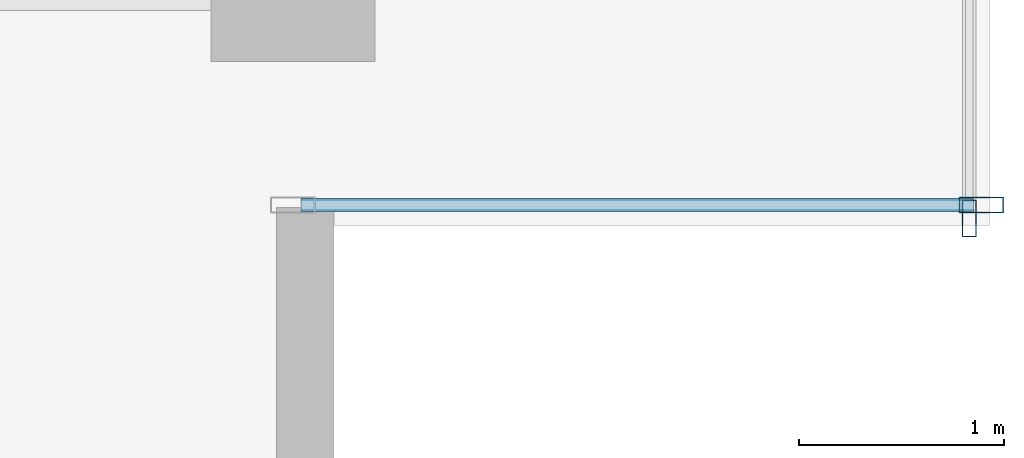
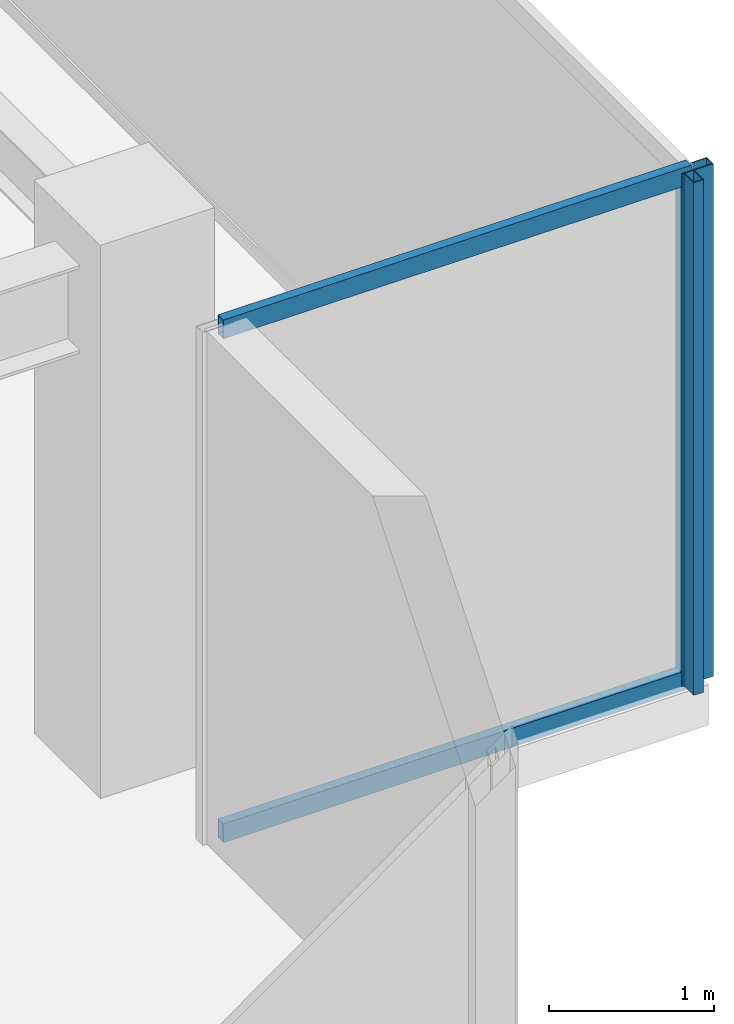
# One storey, part 22 of 33: 4 members, 2 elements without a shape of their own.
"""IFC4 building model written with IfcOpenShell, lengths in metres."""

import ifcopenshell
import ifcopenshell.guid

model = None  # the IFC model being written
_history = None  # IfcOwnerHistory: only IFC2X3 demands one
_inside = {}  # id of a spatial element -> (the spatial element, [elements in it])
_under = {}  # id of a project, library or spatial element -> (it, [spatial elements below it])
_declared = {}  # id of a project -> (the project, [libraries it declares])
_typed = {}  # id of a type object -> (the type object, [elements of that type])
_made_of = {}  # id of a material, layer set ... -> (it, [elements and type objects made of it])


def new_model(schema):
    """Start an empty IFC model of exactly this schema.

    Asked for "IFC4X3", IfcOpenShell would pick the latest addendum, in which some entities
    have other attributes; the version numbers below select the first issue.
    IFC2X3 requires an IfcOwnerHistory on every rooted entity: one is made here for all.
    """
    global model, _history
    if schema == "IFC4X3":
        model = ifcopenshell.file(schema_version=(4, 3, 0, 0))
    else:
        model = ifcopenshell.file(schema=schema)
    _inside.clear()
    _under.clear()
    _declared.clear()
    _typed.clear()
    _made_of.clear()
    _history = None
    if model.schema == "IFC2X3":
        org = make("IfcOrganization", Name="unknown")
        user = make(
            "IfcPersonAndOrganization",
            ThePerson=make("IfcPerson", FamilyName="unknown"),
            TheOrganization=org,
        )
        app = make(
            "IfcApplication",
            ApplicationDeveloper=org,
            Version="unknown",
            ApplicationFullName="unknown",
            ApplicationIdentifier="unknown",
        )
        _history = make(
            "IfcOwnerHistory",
            OwningUser=user,
            OwningApplication=app,
            ChangeAction="ADDED",
            CreationDate=0,
        )
    return model


def make(cls, **values):
    """One entity of the class cls with the attributes given. An attribute that is None is left unset."""
    return model.create_entity(
        cls, **{name: value for name, value in values.items() if value is not None}
    )


def rooted(cls, **values):
    """An entity with a GlobalId (a new one), such as an element, a storey or a relation."""
    return make(cls, GlobalId=ifcopenshell.guid.new(), OwnerHistory=_history, **values)


def si_unit(unit_type, name, prefix=None):
    """IfcSIUnit, for example si_unit("LENGTHUNIT", "METRE", prefix="MILLI")."""
    return make("IfcSIUnit", UnitType=unit_type, Prefix=prefix, Name=name)


def assignment(units):
    """IfcUnitAssignment: the units of a project."""
    return None if units is None else make("IfcUnitAssignment", Units=units)


def point(xyz):
    """IfcCartesianPoint."""
    return None if xyz is None else make("IfcCartesianPoint", Coordinates=xyz)


def direction(xyz):
    """IfcDirection."""
    return None if xyz is None else make("IfcDirection", DirectionRatios=xyz)


def frame(location, z_axis=None, x_axis=None):
    """IfcAxis2Placement3D, a coordinate frame: its origin and axes. An axis left out is left unset."""
    return make(
        "IfcAxis2Placement3D",
        Location=point(location),
        Axis=direction(z_axis),
        RefDirection=direction(x_axis),
    )


def frame_2d(location, x_axis=None):
    """IfcAxis2Placement2D, a coordinate frame in the plane: its origin and x axis."""
    return make(
        "IfcAxis2Placement2D", Location=point(location), RefDirection=direction(x_axis)
    )


def origin():
    """The frame at (0, 0, 0) with its axes left unset."""
    return frame((0.0, 0.0, 0.0))


def origin_2d():
    """The frame at (0, 0) in the plane with its x axis left unset."""
    return frame_2d((0.0, 0.0))


def place(relative_to, where):
    """IfcLocalPlacement: puts the frame where relative to a parent placement (None: the world)."""
    return make(
        "IfcLocalPlacement", PlacementRelTo=relative_to, RelativePlacement=where
    )


def context(
    kind, dimensions, precision=None, world=None, true_north=None, identifier=None
):
    """IfcGeometricRepresentationContext, for example the 3D "Model" context."""
    return make(
        "IfcGeometricRepresentationContext",
        ContextIdentifier=identifier,
        ContextType=kind,
        CoordinateSpaceDimension=dimensions,
        Precision=precision,
        WorldCoordinateSystem=world,
        TrueNorth=true_north,
    )


def subcontext(parent, identifier, kind, view, scale=None):
    """IfcGeometricRepresentationSubContext, for example "Body" below "Model"."""
    return make(
        "IfcGeometricRepresentationSubContext",
        ContextIdentifier=identifier,
        ContextType=kind,
        ParentContext=parent,
        TargetScale=scale,
        TargetView=view,
    )


def project(units=None, contexts=None):
    """IfcProject with its units and contexts."""
    return rooted(
        "IfcProject",
        Name="project",
        RepresentationContexts=contexts,
        UnitsInContext=assignment(units),
    )


def spatial(cls, under=None, at=None, **own):
    """A site, building, storey or space (cls), placed at a placement, below another one or the project."""
    s = rooted(cls, ObjectPlacement=at, **own)
    if under is not None:
        _under.setdefault(under.id(), (under, []))[1].append(s)
    return s


def profile(cls, at=None, kind="AREA", **sizes):
    """A parametric profile (cls). Its sizes go by their IFC names, for example OverallWidth=200.0."""
    return make(cls, ProfileType=kind, Position=at, **sizes)


def hollow_rectangle(**sizes):
    """IfcRectangleHollowProfileDef."""
    return profile("IfcRectangleHollowProfileDef", **sizes)


def extrude(swept, where, along, depth):
    """IfcExtrudedAreaSolid: the profile swept, set in the frame where, extruded along a direction by depth."""
    return make(
        "IfcExtrudedAreaSolid",
        SweptArea=swept,
        Position=where,
        ExtrudedDirection=direction(along),
        Depth=depth,
    )


def shape(context_of_items, identifier, shape_type, items):
    """IfcShapeRepresentation: the items that make up one representation, for example the "Body"."""
    return make(
        "IfcShapeRepresentation",
        ContextOfItems=context_of_items,
        RepresentationIdentifier=identifier,
        RepresentationType=shape_type,
        Items=items,
    )


def source(mapping_origin, context_of_items, identifier, shape_type, items):
    """IfcRepresentationMap: a shape defined once, which mapped items show again and again."""
    return make(
        "IfcRepresentationMap",
        MappingOrigin=mapping_origin,
        MappedRepresentation=shape(context_of_items, identifier, shape_type, items),
    )


def transform(
    local_origin,
    x_axis=None,
    y_axis=None,
    z_axis=None,
    scale=None,
    scale2=None,
    scale3=None,
    uniform=True,
):
    """IfcCartesianTransformationOperator3D, or its non-uniform kind. x_axis, y_axis, z_axis: its Axis1, 2, 3."""
    if uniform:
        return make(
            "IfcCartesianTransformationOperator3D",
            Axis1=direction(x_axis),
            Axis2=direction(y_axis),
            LocalOrigin=point(local_origin),
            Scale=scale,
            Axis3=direction(z_axis),
        )
    return make(
        "IfcCartesianTransformationOperator3DnonUniform",
        Axis1=direction(x_axis),
        Axis2=direction(y_axis),
        LocalOrigin=point(local_origin),
        Scale=scale,
        Axis3=direction(z_axis),
        Scale2=scale2,
        Scale3=scale3,
    )


def mapped(mapping_source, mapping_target):
    """IfcMappedItem: shows the shape of a source again, moved by a transform."""
    return make(
        "IfcMappedItem", MappingSource=mapping_source, MappingTarget=mapping_target
    )


def material(Name=None, Category=None):
    """IfcMaterial."""
    return make("IfcMaterial", Name=Name, Category=Category)


def layer(
    of_material, thickness, ventilated=None, Name=None, Category=None, Priority=None
):
    """IfcMaterialLayer: one layer of a wall or slab, of a material (None: an air gap)."""
    return make(
        "IfcMaterialLayer",
        Material=of_material,
        LayerThickness=thickness,
        IsVentilated=ventilated,
        Name=Name,
        Category=Category,
        Priority=Priority,
    )


def layer_set(layers, Name=None):
    """IfcMaterialLayerSet."""
    return make("IfcMaterialLayerSet", MaterialLayers=layers, LayerSetName=Name)


def material_profile(
    of_material, cross_section, Name=None, Category=None, Priority=None
):
    """IfcMaterialProfile: a cross section and its material."""
    return make(
        "IfcMaterialProfile",
        Name=Name,
        Material=of_material,
        Profile=cross_section,
        Priority=Priority,
        Category=Category,
    )


def profile_set(profiles, Name=None, composite=None):
    """IfcMaterialProfileSet."""
    return make(
        "IfcMaterialProfileSet",
        Name=Name,
        MaterialProfiles=profiles,
        CompositeProfile=composite,
    )


def made_of(thing, what):
    """Note that an element or type object is made of a material, layer set ...; save() writes the relation."""
    if what is not None:
        _made_of.setdefault(what.id(), (what, []))[1].append(thing)
    return thing


def type_object(cls, material=None, **own):
    """A type object (cls), such as IfcWallType, which elements share."""
    return made_of(rooted(cls, **own), material)


def type_shapes(of_type, sources):
    """Give a type object the sources (RepresentationMaps) that its elements show as mapped items."""
    of_type.RepresentationMaps = sources


def element(
    cls,
    number,
    at=None,
    inside=None,
    cuts=None,
    type_object=None,
    material=None,
    context=None,
    identifier="Body",
    shape_type=None,
    held_by="IfcProductDefinitionShape",
    body=None,
    shapes=None,
    **own,
):
    """One element of the class cls, such as IfcWall. Its Tag is "e" and its number.

    at: its placement. inside: the storey or other place that contains it. cuts: it is an
    opening in that element (IfcRelVoidsElement). A single representation is given by context,
    identifier, shape_type and body (its items); several are given by shapes. held_by: the class
    of the entity that holds the representations. save() writes the other relations.
    """
    e = rooted(cls, Tag="e%d" % number, ObjectPlacement=at, **own)
    if body is not None:
        shapes = [shape(context, identifier, shape_type, body)]
    if shapes is not None:
        e.Representation = make(held_by, Representations=shapes)
    if inside is not None:
        _inside.setdefault(inside.id(), (inside, []))[1].append(e)
    if cuts is not None:
        rooted(
            "IfcRelVoidsElement", RelatingBuildingElement=cuts, RelatedOpeningElement=e
        )
    if type_object is not None:
        _typed.setdefault(type_object.id(), (type_object, []))[1].append(e)
    return made_of(e, material)


def aggregate(whole, parts):
    """IfcRelAggregates: a whole, such as a stair, and the parts it consists of."""
    return rooted("IfcRelAggregates", RelatingObject=whole, RelatedObjects=parts)


def save(model, path):
    """Write the relations noted so far, then the file.

    IfcRelAggregates (storeys below a building ...), IfcRelContainedInSpatialStructure (elements
    in a storey), IfcRelDefinesByType, IfcRelAssociatesMaterial and IfcRelDeclares: one each for
    every whole, place, type object, material and project.
    """
    for whole, parts in _under.values():
        aggregate(whole, parts)
    for where, things in _inside.values():
        rooted(
            "IfcRelContainedInSpatialStructure",
            RelatedElements=things,
            RelatingStructure=where,
        )
    for kind, things in _typed.values():
        rooted("IfcRelDefinesByType", RelatedObjects=things, RelatingType=kind)
    for what, things in _made_of.values():
        rooted("IfcRelAssociatesMaterial", RelatedObjects=things, RelatingMaterial=what)
    for by, libraries in _declared.values():
        rooted("IfcRelDeclares", RelatingContext=by, RelatedDefinitions=libraries)
    model.write(path)


model = new_model("IFC4")

# Units and contexts
model_context = context("Model", 3, precision=1e-05, world=origin(), true_north=direction((0.0, 1.0)))
body_context = subcontext(model_context, "Body", "Model", "MODEL_VIEW")
ifc_project = project(units=[si_unit("LENGTHUNIT", "METRE"), si_unit("AREAUNIT", "SQUARE_METRE"), si_unit("VOLUMEUNIT", "CUBIC_METRE"), si_unit("PLANEANGLEUNIT", "RADIAN"), si_unit("MASSUNIT", "GRAM", prefix="KILO")], contexts=[model_context])

# Site, building, storey
site_placement = place(None, origin())
site = spatial("IfcSite", under=ifc_project, at=site_placement, CompositionType="ELEMENT")
building_placement = place(site_placement, origin())
building = spatial("IfcBuilding", under=site, at=building_placement, Name="Haelvirn Gate Laboratories", CompositionType="ELEMENT")
storey_placement = place(building_placement, frame((0.0, 0.0, 267.0)))
storey = spatial("IfcBuildingStorey", under=building, at=storey_placement, Name="L64", CompositionType="ELEMENT", Elevation=267.0)

# Curtain wall, members
ifc_material_1 = material(Name="Anodised bronze unitised aluminium & triple low-E glass", Category="aluminium")
ifc_layer_1 = layer(ifc_material_1, 0.181884765625, Name="CW-SYS-5")
ifc_layer_set_1 = layer_set([ifc_layer_1], Name="Anodised bronze unitised aluminium & triple low-E glass")
curtain_wall_type_1 = type_object("IfcCurtainWallType", Name="CW-SYS-5", PredefinedType="NOTDEFINED", material=ifc_layer_set_1)
curtain_wall_1_placement = place(storey_placement, origin())
curtain_wall_1 = element("IfcCurtainWall", 1, at=curtain_wall_1_placement, inside=storey, type_object=curtain_wall_type_1, Name="L64 Unitised Curtain Wall CW-L64-P0-E06-1", PredefinedType="NOTDEFINED")
ifc_material_2 = material(Name="Extruded aluminium 6063-T6 (anodised bronze)", Category="aluminium")
ifc_material_profile_1 = material_profile(ifc_material_2, hollow_rectangle(XDim=0.06494140625, YDim=0.139892578125, WallThickness=0.00390625, at=origin_2d()), Name="CWT-140x65x4")
ifc_profile_set_1 = profile_set([ifc_material_profile_1], Name="Extruded aluminium 6063-T6 (anodised bronze)")
member_type_1 = type_object("IfcMemberType", Name="CWT-T140", PredefinedType="USERDEFINED", material=ifc_profile_set_1)
shared_shape_1 = source(origin(), body_context, "Body", "SweptSolid", [
    extrude(hollow_rectangle(XDim=0.06494140625, YDim=0.139892578125, WallThickness=0.00390625, at=origin_2d()), origin(), (0.0, 0.0, 1.0), 3.280029296875),
])
type_shapes(member_type_1, [shared_shape_1])
member_1_placement = place(storey_placement, frame((67.43994140625, 5.89990234375, 0.032470703125), z_axis=(1.0, 0.0, 0.0), x_axis=(0.0, 1.0, 0.0)))
member_1 = element("IfcMember", 2, at=member_1_placement, type_object=member_type_1, Name="CW5 transom 1.1", ObjectType="TRANSOM", PredefinedType="USERDEFINED", context=body_context, shape_type="MappedRepresentation", body=[
    mapped(shared_shape_1, transform((0.0, 0.0, 0.0), scale=1.0)),
])
member_2_placement = place(storey_placement, frame((67.43994140625, 5.89990234375, 3.767578125), z_axis=(1.0, 0.0, 0.0), x_axis=(0.0, 1.0, 0.0)))
member_2 = element("IfcMember", 3, at=member_2_placement, type_object=member_type_1, Name="CW5 transom 1.2", ObjectType="TRANSOM", PredefinedType="USERDEFINED", context=body_context, shape_type="MappedRepresentation", body=[
    mapped(shared_shape_1, transform((0.0, 0.0, 0.0), scale=1.0)),
])

# Curtain wall, member
ifc_layer_2 = layer(ifc_material_1, 0.176025390625, Name="CW-SYS-4")
ifc_layer_set_2 = layer_set([ifc_layer_2], Name="Anodised bronze unitised aluminium & triple low-E glass")
curtain_wall_type_2 = type_object("IfcCurtainWallType", Name="CW-SYS-4", PredefinedType="NOTDEFINED", material=ifc_layer_set_2)
curtain_wall_2_placement = place(storey_placement, origin())
curtain_wall_2 = element("IfcCurtainWall", 4, at=curtain_wall_2_placement, inside=storey, type_object=curtain_wall_type_2, Name="L64 Unitised Curtain Wall CW-L64-P0-E07", PredefinedType="NOTDEFINED")
ifc_material_profile_2 = material_profile(ifc_material_2, hollow_rectangle(XDim=0.070068359375, YDim=0.179931640625, WallThickness=0.0048828125, at=origin_2d()), Name="CWM-180x70x5")
ifc_profile_set_2 = profile_set([ifc_material_profile_2], Name="Extruded aluminium 6063-T6 (anodised bronze)")
member_type_2 = type_object("IfcMemberType", Name="CWM-T180", PredefinedType="MULLION", material=ifc_profile_set_2)
shared_shape_2 = source(origin(), body_context, "Body", "SweptSolid", [
    extrude(hollow_rectangle(XDim=0.070068359375, YDim=0.179931640625, WallThickness=0.0048828125, at=origin_2d()), origin(), (0.0, 0.0, 1.0), 3.800048828125),
])
type_shapes(member_type_2, [shared_shape_2])
member_3_placement = place(storey_placement, frame((70.699951171875, 5.8349609375, 0.0), z_axis=(0.0, 0.0, 1.0), x_axis=(-1.0, 0.0, 0.0)))
member_3 = element("IfcMember", 5, at=member_3_placement, type_object=member_type_2, Name="CW4 mullion 1", PredefinedType="MULLION", context=body_context, shape_type="MappedRepresentation", body=[
    mapped(shared_shape_2, transform((0.0, 0.0, 0.0), scale=1.0)),
])
aggregate(curtain_wall_2, [member_3])

# Member
ifc_material_profile_3 = material_profile(ifc_material_2, hollow_rectangle(XDim=0.080078125, YDim=0.219970703125, WallThickness=0.006103515625, at=origin_2d()), Name="CWM-220x80x6")
ifc_profile_set_3 = profile_set([ifc_material_profile_3], Name="Extruded aluminium 6063-T6 (anodised bronze)")
member_type_3 = type_object("IfcMemberType", Name="CWM-T220", PredefinedType="MULLION", material=ifc_profile_set_3)
shared_shape_3 = source(origin(), body_context, "Body", "SweptSolid", [
    extrude(hollow_rectangle(XDim=0.080078125, YDim=0.219970703125, WallThickness=0.006103515625, at=origin_2d()), origin(), (0.0, 0.0, 1.0), 3.800048828125),
])
type_shapes(member_type_3, [shared_shape_3])
member_4_placement = place(storey_placement, frame((70.760009765625, 5.89990234375, 0.0), z_axis=(0.0, 0.0, 1.0), x_axis=(0.0, 1.0, 0.0)))
member_4 = element("IfcMember", 6, at=member_4_placement, type_object=member_type_3, Name="CW5 mullion 2", PredefinedType="MULLION", context=body_context, shape_type="MappedRepresentation", body=[
    mapped(shared_shape_3, transform((0.0, 0.0, 0.0), scale=1.0)),
])

aggregate(curtain_wall_1, [member_4, member_1, member_2])

save(model, "model.ifc")
